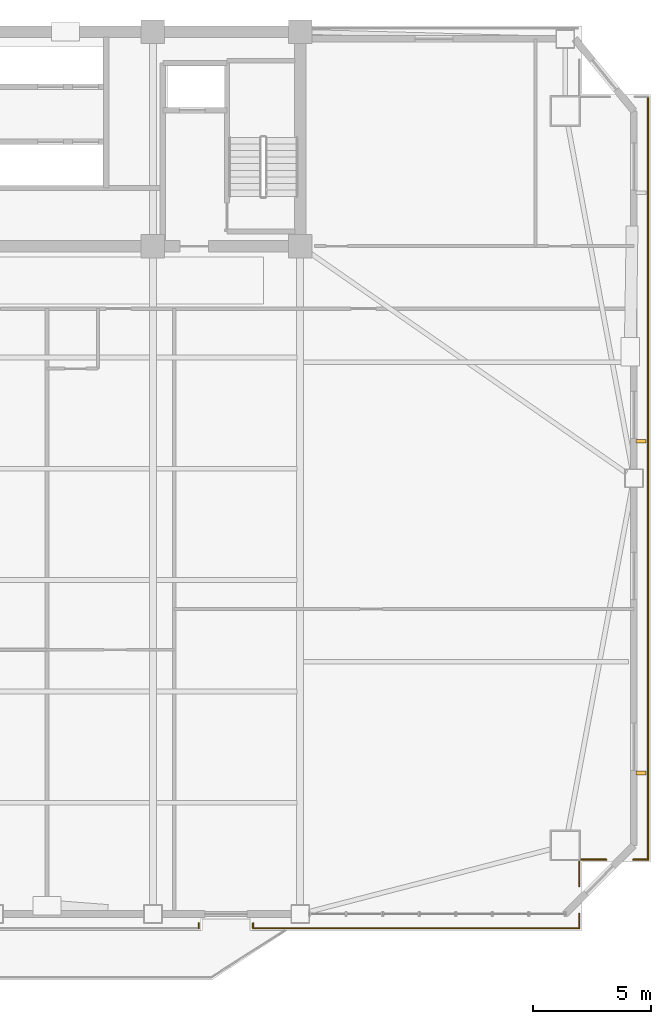
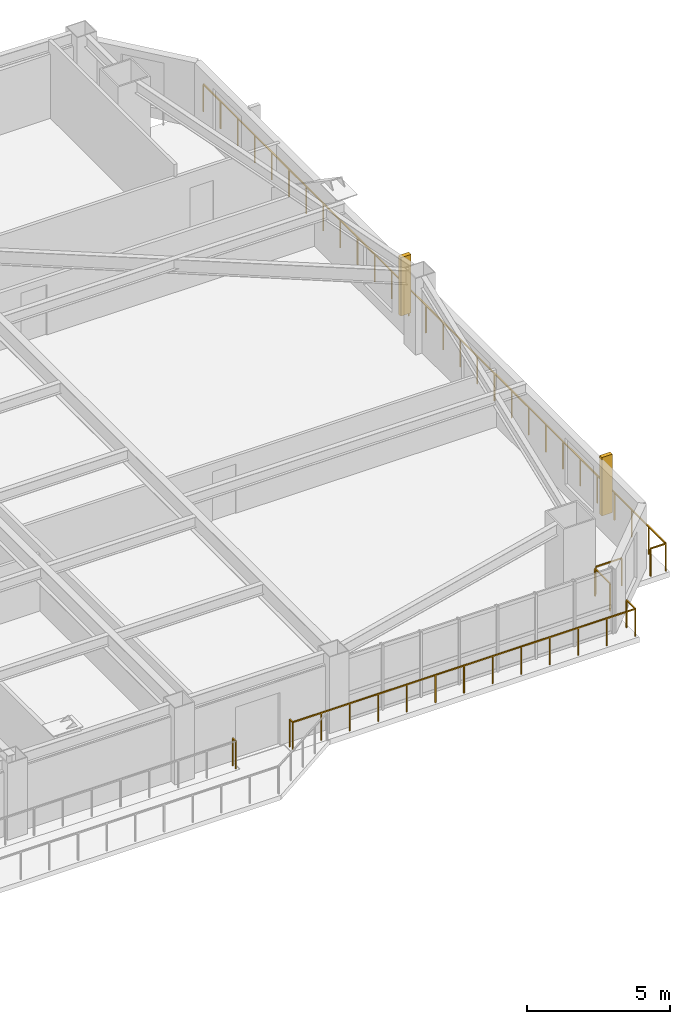
# One storey, part 14 of 16: 8 railings, 2 shading devices.
"""IFC4 building model written with IfcOpenShell, lengths in metres."""

from ifc_helpers import new_model, si_unit, direction, frame, origin, origin_2d, place, context, subcontext, project, spatial, rectangle, extrude, source, transform, mapped, material, type_object, element, save


model = new_model("IFC4")

# Units and contexts
model_context = context("Model", 3, precision=1e-05, world=origin(), true_north=direction((0.0, 1.0)))
body_context = subcontext(model_context, "Body", "Model", "MODEL_VIEW")
ifc_project = project(units=[si_unit("LENGTHUNIT", "METRE"), si_unit("AREAUNIT", "SQUARE_METRE"), si_unit("VOLUMEUNIT", "CUBIC_METRE"), si_unit("PLANEANGLEUNIT", "RADIAN"), si_unit("MASSUNIT", "GRAM", prefix="KILO")], contexts=[model_context])

# Site, building, storey
site_placement = place(None, origin())
site = spatial("IfcSite", under=ifc_project, at=site_placement, CompositionType="ELEMENT")
building_placement = place(site_placement, origin())
building = spatial("IfcBuilding", under=site, at=building_placement, Name="Giltprow Tower", CompositionType="ELEMENT")
storey_placement = place(building_placement, frame((0.0, 0.0, 163.199951171875)))
storey = spatial("IfcBuildingStorey", under=building, at=storey_placement, Name="L40", CompositionType="ELEMENT", Elevation=163.199951171875)

# Railings
ifc_material = material(Name="Anodized bronze", Category="metal")
railing_type = type_object("IfcRailingType", Name="RAIL-BALC-GUARD-1200", PredefinedType="BALUSTRADE", material=ifc_material)
railing_1_placement = place(storey_placement, frame((65.31591796875, 43.787109375, 0.0)))
element("IfcRailing", 1, at=railing_1_placement, inside=storey, type_object=railing_type, Name="L40 Corner Apron Edge Balustrade 14", PredefinedType="BALUSTRADE", context=body_context, shape_type="SweptSolid", body=[
    extrude(rectangle(XDim=0.048095703125, YDim=0.048095703125, at=origin_2d()), frame((0.0, 0.0, 1.17578125), z_axis=(0.0, -1.0, 0.0), x_axis=(1.0, 0.0, 0.0)), (0.0, 0.0, 1.0), 32.376220703125),
    extrude(rectangle(XDim=0.0419921875, YDim=0.0419921875, at=origin_2d()), origin(), (0.0, 0.0, 1.0), 1.15185546875),
    extrude(rectangle(XDim=0.0419921875, YDim=0.0419921875, at=origin_2d()), frame((0.0, -1.19921875, 0.0)), (0.0, 0.0, 1.0), 1.15185546875),
    extrude(rectangle(XDim=0.0419921875, YDim=0.0419921875, at=origin_2d()), frame((0.0, -2.398193359375, 0.0)), (0.0, 0.0, 1.0), 1.15185546875),
    extrude(rectangle(XDim=0.0419921875, YDim=0.0419921875, at=origin_2d()), frame((0.0, -3.597412109375, 0.0)), (0.0, 0.0, 1.0), 1.15185546875),
    extrude(rectangle(XDim=0.0419921875, YDim=0.0419921875, at=origin_2d()), frame((0.0, -4.79638671875, 0.0)), (0.0, 0.0, 1.0), 1.15185546875),
    extrude(rectangle(XDim=0.0419921875, YDim=0.0419921875, at=origin_2d()), frame((0.0, -5.99560546875, 0.0)), (0.0, 0.0, 1.0), 1.15185546875),
    extrude(rectangle(XDim=0.0419921875, YDim=0.0419921875, at=origin_2d()), frame((0.0, -7.19482421875, 0.0)), (0.0, 0.0, 1.0), 1.15185546875),
    extrude(rectangle(XDim=0.0419921875, YDim=0.0419921875, at=origin_2d()), frame((0.0, -8.393798828125, 0.0)), (0.0, 0.0, 1.0), 1.15185546875),
    extrude(rectangle(XDim=0.0419921875, YDim=0.0419921875, at=origin_2d()), frame((0.0, -9.593017578125, 0.0)), (0.0, 0.0, 1.0), 1.15185546875),
    extrude(rectangle(XDim=0.0419921875, YDim=0.0419921875, at=origin_2d()), frame((0.0, -10.7919921875, 0.0)), (0.0, 0.0, 1.0), 1.15185546875),
    extrude(rectangle(XDim=0.0419921875, YDim=0.0419921875, at=origin_2d()), frame((0.0, -11.9912109375, 0.0)), (0.0, 0.0, 1.0), 1.15185546875),
    extrude(rectangle(XDim=0.0419921875, YDim=0.0419921875, at=origin_2d()), frame((0.0, -13.1904296875, 0.0)), (0.0, 0.0, 1.0), 1.15185546875),
    extrude(rectangle(XDim=0.0419921875, YDim=0.0419921875, at=origin_2d()), frame((0.0, -14.389404296875, 0.0)), (0.0, 0.0, 1.0), 1.15185546875),
    extrude(rectangle(XDim=0.0419921875, YDim=0.0419921875, at=origin_2d()), frame((0.0, -15.588623046875, 0.0)), (0.0, 0.0, 1.0), 1.15185546875),
    extrude(rectangle(XDim=0.0419921875, YDim=0.0419921875, at=origin_2d()), frame((0.0, -16.78759765625, 0.0)), (0.0, 0.0, 1.0), 1.15185546875),
    extrude(rectangle(XDim=0.0419921875, YDim=0.0419921875, at=origin_2d()), frame((0.0, -17.98681640625, 0.0)), (0.0, 0.0, 1.0), 1.15185546875),
    extrude(rectangle(XDim=0.0419921875, YDim=0.0419921875, at=origin_2d()), frame((0.0, -19.185791015625, 0.0)), (0.0, 0.0, 1.0), 1.15185546875),
    extrude(rectangle(XDim=0.0419921875, YDim=0.0419921875, at=origin_2d()), frame((0.0, -20.385009765625, 0.0)), (0.0, 0.0, 1.0), 1.15185546875),
    extrude(rectangle(XDim=0.0419921875, YDim=0.0419921875, at=origin_2d()), frame((0.0, -21.584228515625, 0.0)), (0.0, 0.0, 1.0), 1.15185546875),
    extrude(rectangle(XDim=0.0419921875, YDim=0.0419921875, at=origin_2d()), frame((0.0, -22.783203125, 0.0)), (0.0, 0.0, 1.0), 1.15185546875),
    extrude(rectangle(XDim=0.0419921875, YDim=0.0419921875, at=origin_2d()), frame((0.0, -23.982421875, 0.0)), (0.0, 0.0, 1.0), 1.15185546875),
    extrude(rectangle(XDim=0.0419921875, YDim=0.0419921875, at=origin_2d()), frame((0.0, -25.181396484375, 0.0)), (0.0, 0.0, 1.0), 1.15185546875),
    extrude(rectangle(XDim=0.0419921875, YDim=0.0419921875, at=origin_2d()), frame((0.0, -26.380615234375, 0.0)), (0.0, 0.0, 1.0), 1.15185546875),
    extrude(rectangle(XDim=0.0419921875, YDim=0.0419921875, at=origin_2d()), frame((0.0, -27.579833984375, 0.0)), (0.0, 0.0, 1.0), 1.15185546875),
    extrude(rectangle(XDim=0.0419921875, YDim=0.0419921875, at=origin_2d()), frame((0.0, -28.77880859375, 0.0)), (0.0, 0.0, 1.0), 1.15185546875),
    extrude(rectangle(XDim=0.0419921875, YDim=0.0419921875, at=origin_2d()), frame((0.0, -29.97802734375, 0.0)), (0.0, 0.0, 1.0), 1.15185546875),
    extrude(rectangle(XDim=0.0419921875, YDim=0.0419921875, at=origin_2d()), frame((0.0, -31.177001953125, 0.0)), (0.0, 0.0, 1.0), 1.15185546875),
    extrude(rectangle(XDim=0.0419921875, YDim=0.0419921875, at=origin_2d()), frame((0.0, -32.376220703125, 0.0)), (0.0, 0.0, 1.0), 1.15185546875),
])
railing_2_placement = place(storey_placement, frame((65.31591796875, 11.410888671875, 0.0)))
element("IfcRailing", 2, at=railing_2_placement, inside=storey, type_object=railing_type, Name="L40 Corner Apron Edge Balustrade 15", PredefinedType="BALUSTRADE", context=body_context, shape_type="SweptSolid", body=[
    extrude(rectangle(XDim=0.048095703125, YDim=0.048095703125, at=origin_2d()), frame((0.0, 0.0, 1.17578125), z_axis=(-1.0, 0.0, 0.0), x_axis=(0.0, -1.0, 0.0)), (0.0, 0.0, 1.0), 0.619873046875),
    extrude(rectangle(XDim=0.0419921875, YDim=0.0419921875, at=origin_2d()), origin(), (0.0, 0.0, 1.0), 1.15185546875),
    extrude(rectangle(XDim=0.0419921875, YDim=0.0419921875, at=origin_2d()), frame((-0.619873046875, 0.0, 0.0)), (0.0, 0.0, 1.0), 1.15185546875),
])
railing_3_placement = place(storey_placement, frame((63.535888671875, 11.410888671875, 0.0)))
element("IfcRailing", 3, at=railing_3_placement, inside=storey, type_object=railing_type, Name="L40 Corner Apron Edge Balustrade 16", PredefinedType="BALUSTRADE", context=body_context, shape_type="SweptSolid", body=[
    extrude(rectangle(XDim=0.048095703125, YDim=0.048095703125, at=origin_2d()), frame((0.0, 0.0, 1.17578125), z_axis=(-1.0, 0.0, 0.0), x_axis=(0.0, -1.0, 0.0)), (0.0, 0.0, 1.0), 1.0478515625),
    extrude(rectangle(XDim=0.0419921875, YDim=0.0419921875, at=origin_2d()), origin(), (0.0, 0.0, 1.0), 1.15185546875),
    extrude(rectangle(XDim=0.0419921875, YDim=0.0419921875, at=origin_2d()), frame((-1.0478515625, 0.0, 0.0)), (0.0, 0.0, 1.0), 1.15185546875),
])
railing_4_placement = place(storey_placement, frame((62.403076171875, 11.325927734375, 0.0)))
element("IfcRailing", 4, at=railing_4_placement, inside=storey, type_object=railing_type, Name="L40 Corner Apron Edge Balustrade 17", PredefinedType="BALUSTRADE", context=body_context, shape_type="SweptSolid", body=[
    extrude(rectangle(XDim=0.048095703125, YDim=0.048095703125, at=origin_2d()), frame((0.0, 0.0, 1.17578125), z_axis=(0.0, -1.0, 0.0), x_axis=(1.0, 0.0, 0.0)), (0.0, 0.0, 1.0), 1.0478515625),
    extrude(rectangle(XDim=0.0419921875, YDim=0.0419921875, at=origin_2d()), origin(), (0.0, 0.0, 1.0), 1.15185546875),
    extrude(rectangle(XDim=0.0419921875, YDim=0.0419921875, at=origin_2d()), frame((0.0, -1.0478515625, 0.0)), (0.0, 0.0, 1.0), 1.15185546875),
])
railing_5_placement = place(storey_placement, frame((62.403076171875, 9.117919921875, 0.0)))
element("IfcRailing", 5, at=railing_5_placement, inside=storey, type_object=railing_type, Name="L40 Corner Apron Edge Balustrade 18", PredefinedType="BALUSTRADE", context=body_context, shape_type="SweptSolid", body=[
    extrude(rectangle(XDim=0.048095703125, YDim=0.048095703125, at=origin_2d()), frame((0.0, 0.0, 1.17578125), z_axis=(0.0, -1.0, 0.0), x_axis=(1.0, 0.0, 0.0)), (0.0, 0.0, 1.0), 0.619873046875),
    extrude(rectangle(XDim=0.0419921875, YDim=0.0419921875, at=origin_2d()), origin(), (0.0, 0.0, 1.0), 1.15185546875),
    extrude(rectangle(XDim=0.0419921875, YDim=0.0419921875, at=origin_2d()), frame((0.0, -0.619873046875, 0.0)), (0.0, 0.0, 1.0), 1.15185546875),
])
railing_6_placement = place(storey_placement, frame((62.403076171875, 8.498046875, 0.0)))
element("IfcRailing", 6, at=railing_6_placement, inside=storey, type_object=railing_type, Name="L40 Corner Apron Edge Balustrade 19", PredefinedType="BALUSTRADE", context=body_context, shape_type="SweptSolid", body=[
    extrude(rectangle(XDim=0.048095703125, YDim=0.048095703125, at=origin_2d()), frame((0.0, 0.0, 1.17578125), z_axis=(-1.0, 0.0, 0.0), x_axis=(0.0, -1.0, 0.0)), (0.0, 0.0, 1.0), 13.85302734375),
    extrude(rectangle(XDim=0.0419921875, YDim=0.0419921875, at=origin_2d()), origin(), (0.0, 0.0, 1.0), 1.15185546875),
    extrude(rectangle(XDim=0.0419921875, YDim=0.0419921875, at=origin_2d()), frame((-1.154296875, 0.0, 0.0)), (0.0, 0.0, 1.0), 1.15185546875),
    extrude(rectangle(XDim=0.0419921875, YDim=0.0419921875, at=origin_2d()), frame((-2.308837890625, 0.0, 0.0)), (0.0, 0.0, 1.0), 1.15185546875),
    extrude(rectangle(XDim=0.0419921875, YDim=0.0419921875, at=origin_2d()), frame((-3.46337890625, 0.0, 0.0)), (0.0, 0.0, 1.0), 1.15185546875),
    extrude(rectangle(XDim=0.0419921875, YDim=0.0419921875, at=origin_2d()), frame((-4.61767578125, 0.0, 0.0)), (0.0, 0.0, 1.0), 1.15185546875),
    extrude(rectangle(XDim=0.0419921875, YDim=0.0419921875, at=origin_2d()), frame((-5.77197265625, 0.0, 0.0)), (0.0, 0.0, 1.0), 1.15185546875),
    extrude(rectangle(XDim=0.0419921875, YDim=0.0419921875, at=origin_2d()), frame((-6.926513671875, 0.0, 0.0)), (0.0, 0.0, 1.0), 1.15185546875),
    extrude(rectangle(XDim=0.0419921875, YDim=0.0419921875, at=origin_2d()), frame((-8.0810546875, 0.0, 0.0)), (0.0, 0.0, 1.0), 1.15185546875),
    extrude(rectangle(XDim=0.0419921875, YDim=0.0419921875, at=origin_2d()), frame((-9.2353515625, 0.0, 0.0)), (0.0, 0.0, 1.0), 1.15185546875),
    extrude(rectangle(XDim=0.0419921875, YDim=0.0419921875, at=origin_2d()), frame((-10.3896484375, 0.0, 0.0)), (0.0, 0.0, 1.0), 1.15185546875),
    extrude(rectangle(XDim=0.0419921875, YDim=0.0419921875, at=origin_2d()), frame((-11.544189453125, 0.0, 0.0)), (0.0, 0.0, 1.0), 1.15185546875),
    extrude(rectangle(XDim=0.0419921875, YDim=0.0419921875, at=origin_2d()), frame((-12.69873046875, 0.0, 0.0)), (0.0, 0.0, 1.0), 1.15185546875),
    extrude(rectangle(XDim=0.0419921875, YDim=0.0419921875, at=origin_2d()), frame((-13.85302734375, 0.0, 0.0)), (0.0, 0.0, 1.0), 1.15185546875),
])
railing_7_placement = place(storey_placement, frame((48.550048828125, 8.498046875, 0.0)))
element("IfcRailing", 7, at=railing_7_placement, inside=storey, type_object=railing_type, Name="L40 Corner Apron Edge Balustrade 20", PredefinedType="BALUSTRADE", context=body_context, shape_type="SweptSolid", body=[
    extrude(rectangle(XDim=0.048095703125, YDim=0.048095703125, at=origin_2d()), frame((0.0, 0.0, 1.17578125), z_axis=(0.0, 1.0, 0.0), x_axis=(-1.0, 0.0, 0.0)), (0.0, 0.0, 1.0), 0.199951171875),
    extrude(rectangle(XDim=0.0419921875, YDim=0.0419921875, at=origin_2d()), origin(), (0.0, 0.0, 1.0), 1.15185546875),
    extrude(rectangle(XDim=0.0419921875, YDim=0.0419921875, at=origin_2d()), frame((0.0, 0.199951171875, 0.0)), (0.0, 0.0, 1.0), 1.15185546875),
])
railing_8_placement = place(storey_placement, frame((46.25, 8.697998046875, 0.0)))
element("IfcRailing", 8, at=railing_8_placement, inside=storey, type_object=railing_type, Name="L40 Corner Apron Edge Balustrade 21", PredefinedType="BALUSTRADE", context=body_context, shape_type="SweptSolid", body=[
    extrude(rectangle(XDim=0.048095703125, YDim=0.048095703125, at=origin_2d()), frame((0.0, 0.0, 1.17578125), z_axis=(0.0, -1.0, 0.0), x_axis=(1.0, 0.0, 0.0)), (0.0, 0.0, 1.0), 0.199951171875),
    extrude(rectangle(XDim=0.0419921875, YDim=0.0419921875, at=origin_2d()), origin(), (0.0, 0.0, 1.0), 1.15185546875),
    extrude(rectangle(XDim=0.0419921875, YDim=0.0419921875, at=origin_2d()), frame((0.0, -0.199951171875, 0.0)), (0.0, 0.0, 1.0), 1.15185546875),
])

# Shading devices
shading_device_type = type_object("IfcShadingDeviceType", Name="SHD-FIN-420", PredefinedType="USERDEFINED", material=ifc_material)
shared_shape = source(origin(), body_context, "Body", "SweptSolid", [
    extrude(rectangle(XDim=0.419921875, YDim=0.159912109375, at=origin_2d()), origin(), (0.0, 0.0, 1.0), 2.5),
])
for number, where, z_axis, x_axis, name in (
    (9, (65.01611328125, 15.080078125, 0.35009765625), (0.0, 0.0, 1.0), (1.0, 0.0, 0.0), "L40 E Bronze Vertical Fin 1-1"),
    (10, (65.01611328125, 29.1650390625, 0.35009765625), (0.0, 0.0, 1.0), (1.0, 0.0, 0.0), "L40 E Bronze Vertical Fin 2-1"),
):
    element("IfcShadingDevice", number, at=place(storey_placement, frame(where, z_axis=z_axis, x_axis=x_axis)), inside=storey, type_object=shading_device_type, Name=name, ObjectType="FIN", PredefinedType="USERDEFINED", context=body_context, shape_type="MappedRepresentation", body=[
        mapped(shared_shape, transform((0.0, 0.0, 0.0), x_axis=(1.0, 0.0, 0.0), y_axis=(0.0, 1.0, 0.0), z_axis=(0.0, 0.0, 1.0), scale=1.0)),
    ])

save(model, "model.ifc")
